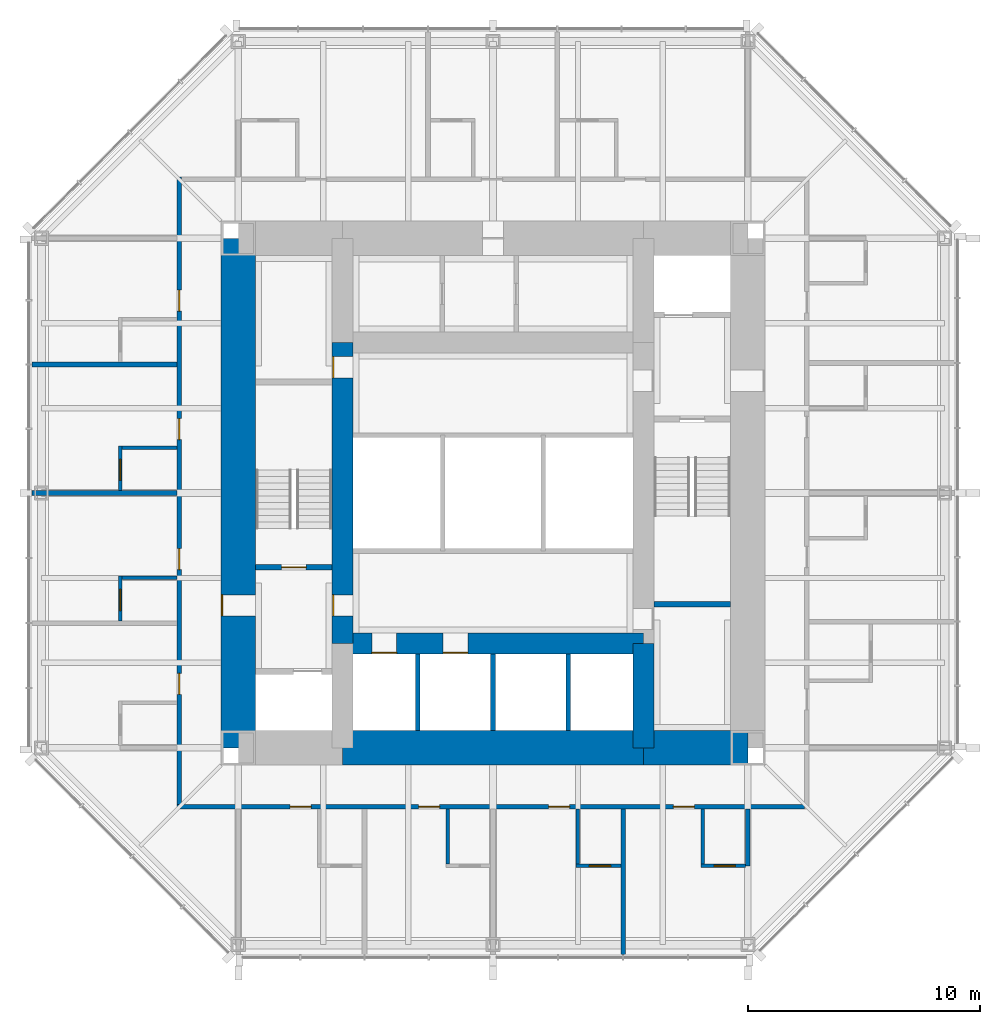
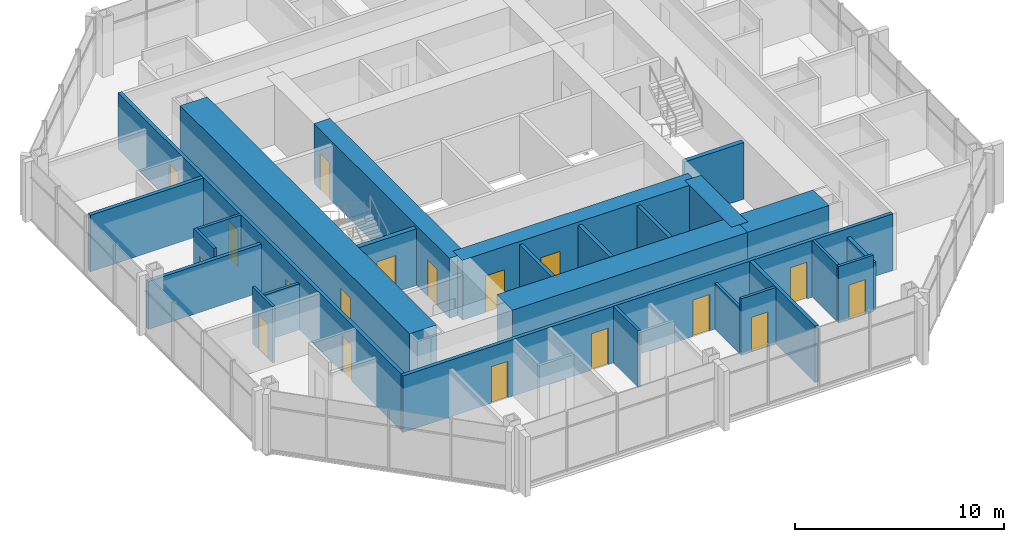
# One storey, part 8 of 12: 26 walls, 18 doors, 18 openings.
"""IFC4 building model written with IfcOpenShell, lengths in metres."""

from ifc_helpers import new_model, si_unit, direction, frame, frame_2d, origin, place, context, subcontext, project, spatial, rectangle, extrude, material, layer, layer_set, type_object, element, fill, save


model = new_model("IFC4")

# Units and contexts
model_context = context("Model", 3, precision=1e-05, world=origin(), true_north=direction((0.0, 1.0)))
body_context = subcontext(model_context, "Body", "Model", "MODEL_VIEW")
ifc_project = project(units=[si_unit("LENGTHUNIT", "METRE"), si_unit("AREAUNIT", "SQUARE_METRE"), si_unit("VOLUMEUNIT", "CUBIC_METRE"), si_unit("PLANEANGLEUNIT", "RADIAN"), si_unit("MASSUNIT", "GRAM", prefix="KILO")], contexts=[model_context])

# Site, building, storey
site_placement = place(None, origin())
site = spatial("IfcSite", under=ifc_project, at=site_placement, CompositionType="ELEMENT")
building_placement = place(site_placement, origin())
building = spatial("IfcBuilding", under=site, at=building_placement, Name="Trevanion Tower", CompositionType="ELEMENT")
storey_placement = place(building_placement, frame((0.0, 0.0, 204.699951171875)))
storey = spatial("IfcBuildingStorey", under=building, at=storey_placement, Name="L48", CompositionType="ELEMENT", Elevation=204.699951171875)

# Wall, opening, door
ifc_material_1 = material(Name="Concrete 10,000 psi", Category="concrete")
ifc_layer_1 = layer(ifc_material_1, 1.5)
ifc_layer_set_1 = layer_set([ifc_layer_1], Name="CW1 core wall 1500")
wall_type_1 = type_object("IfcWallType", Name="CW1 core wall 1500", PredefinedType="SHEAR", material=ifc_layer_set_1)
wall_1_placement = place(storey_placement, frame((-11.0, 11.0, 0.0), z_axis=(0.0, 0.0, 1.0), x_axis=(0.0, -1.0, 0.0)))
wall_1 = element("IfcWall", 1, at=wall_1_placement, inside=storey, type_object=wall_type_1, Name="CW1 CW L48", PredefinedType="SHEAR", context=body_context, shape_type="SweptSolid", body=[
    extrude(rectangle(XDim=22.0, YDim=1.5, at=frame_2d((11.0, 0.0))), origin(), (0.0, 0.0, 1.0), 3.5),
])
opening_1_placement = place(wall_1_placement, frame((15.392578125, 0.0, 0.0)))
opening_1 = element("IfcOpeningElement", 2, at=opening_1_placement, cuts=wall_1, Name="Opening 48-002", PredefinedType="OPENING", context=body_context, shape_type="SweptSolid", body=[
    extrude(rectangle(XDim=0.9150390625, YDim=2.134033203125, at=frame_2d((0.45751953125, 1.06689453125))), frame((0.0, 0.760009765625, 0.0), z_axis=(0.0, -1.0, 0.0), x_axis=(1.0, 0.0, 0.0)), (0.0, 0.0, 1.0), 1.52001953125),
])
ifc_material_2 = material(Name="Hollow metal, fire rated", Category="steel")
door_type_1 = type_object("IfcDoorType", Name="D3 fire lift lobby door", OperationType="SINGLE_SWING_RIGHT", PredefinedType="DOOR", material=ifc_material_2)
door_1_placement = place(opening_1_placement, origin())
door_1 = element("IfcDoor", 3, at=door_1_placement, inside=storey, type_object=door_type_1, Name="Door 48-002", OperationType="SINGLE_SWING_RIGHT", OverallHeight=2.134033203125, OverallWidth=0.9150390625, PredefinedType="DOOR", context=body_context, shape_type="SweptSolid", body=[
    extrude(rectangle(XDim=0.9150390625, YDim=2.134033203125, at=frame_2d((0.45751953125, 1.06689453125))), frame((0.0, -0.6748046875, 0.0), z_axis=(0.0, -1.0, 0.0), x_axis=(1.0, 0.0, 0.0)), (0.0, 0.0, 1.0), 0.050048828125),
])
fill(opening_1, door_1)

# Walls
wall_2_placement = place(storey_placement, frame((-6.5, -11.0, 0.0), z_axis=(0.0, 0.0, 1.0), x_axis=(1.0, 0.0, 0.0)))
element("IfcWall", 4, at=wall_2_placement, inside=storey, type_object=wall_type_1, Name="CW1 CS2 L48", PredefinedType="SHEAR", context=body_context, shape_type="SweptSolid", body=[
    extrude(rectangle(XDim=13.0, YDim=1.5, at=frame_2d((6.5, 0.0))), origin(), (0.0, 0.0, 1.0), 3.5),
])
wall_3_placement = place(storey_placement, frame((6.5, -11.0, 0.0), z_axis=(0.0, 0.0, 1.0), x_axis=(1.0, 0.0, 0.0)))
element("IfcWall", 5, at=wall_3_placement, inside=storey, type_object=wall_type_1, Name="CW1 CS3 L48", PredefinedType="SHEAR", context=body_context, shape_type="SweptSolid", body=[
    extrude(rectangle(XDim=4.5, YDim=1.5, at=frame_2d((2.25, 0.0))), origin(), (0.0, 0.0, 1.0), 3.5),
])
ifc_material_3 = material(Name="Concrete 10,000 psi", Category="concrete")
ifc_layer_2 = layer(ifc_material_3, 0.89990234375)
ifc_layer_set_2 = layer_set([ifc_layer_2], Name="CW2 core wall 900")
wall_type_2 = type_object("IfcWallType", Name="CW2 core wall 900", PredefinedType="SHEAR", material=ifc_layer_set_2)
wall_4_placement = place(storey_placement, frame((6.5, -11.0, 0.0), z_axis=(0.0, 0.0, 1.0), x_axis=(0.0, 1.0, 0.0)))
element("IfcWall", 6, at=wall_4_placement, inside=storey, type_object=wall_type_2, Name="CW2 RE1 L48", PredefinedType="SHEAR", context=body_context, shape_type="SweptSolid", body=[
    extrude(rectangle(XDim=4.5, YDim=0.89990234375, at=frame_2d((2.25, 0.0))), origin(), (0.0, 0.0, 1.0), 3.5),
])

# Wall, openings, doors
wall_5_placement = place(storey_placement, frame((-6.5, 6.5, 0.0), z_axis=(0.0, 0.0, 1.0), x_axis=(0.0, -1.0, 0.0)))
wall_5 = element("IfcWall", 7, at=wall_5_placement, inside=storey, type_object=wall_type_2, Name="CW2 RW2 L48", PredefinedType="SHEAR", context=body_context, shape_type="SweptSolid", body=[
    extrude(rectangle(XDim=13.0, YDim=0.89990234375, at=frame_2d((6.5, 0.0))), origin(), (0.0, 0.0, 1.0), 3.5),
])
opening_2_placement = place(wall_5_placement, frame((10.892578125, 0.0, 0.0)))
opening_2 = element("IfcOpeningElement", 8, at=opening_2_placement, cuts=wall_5, Name="Opening 48-004", PredefinedType="OPENING", context=body_context, shape_type="SweptSolid", body=[
    extrude(rectangle(XDim=0.9150390625, YDim=2.134033203125, at=frame_2d((0.45751953125, 1.06689453125))), frame((0.0, 0.4599609375, 0.0), z_axis=(0.0, -1.0, 0.0), x_axis=(1.0, 0.0, 0.0)), (0.0, 0.0, 1.0), 0.919921875),
])
opening_3_placement = place(wall_5_placement, frame((0.610107421875, 0.0, 0.0)))
opening_3 = element("IfcOpeningElement", 9, at=opening_3_placement, cuts=wall_5, Name="Opening 48-010", PredefinedType="OPENING", context=body_context, shape_type="SweptSolid", body=[
    extrude(rectangle(XDim=0.9150390625, YDim=2.134033203125, at=frame_2d((0.45751953125, 1.06689453125))), frame((0.0, 0.4599609375, 0.0), z_axis=(0.0, -1.0, 0.0), x_axis=(1.0, 0.0, 0.0)), (0.0, 0.0, 1.0), 0.919921875),
])
door_2_placement = place(opening_2_placement, origin())
door_2 = element("IfcDoor", 10, at=door_2_placement, inside=storey, type_object=door_type_1, Name="Door 48-004", OperationType="SINGLE_SWING_RIGHT", OverallHeight=2.134033203125, OverallWidth=0.9150390625, PredefinedType="DOOR", context=body_context, shape_type="SweptSolid", body=[
    extrude(rectangle(XDim=0.9150390625, YDim=2.134033203125, at=frame_2d((0.45751953125, 1.06689453125))), frame((0.0, -0.375, 0.0), z_axis=(0.0, -1.0, 0.0), x_axis=(1.0, 0.0, 0.0)), (0.0, 0.0, 1.0), 0.050048828125),
])
fill(opening_2, door_2)
ifc_material_4 = material(Name="Hollow metal, fire rated", Category="steel")
door_type_2 = type_object("IfcDoorType", Name="D5 service room door", OperationType="SINGLE_SWING_RIGHT", PredefinedType="DOOR", material=ifc_material_4)
door_3_placement = place(opening_3_placement, origin())
door_3 = element("IfcDoor", 11, at=door_3_placement, inside=storey, type_object=door_type_2, Name="Door 48-010", OperationType="SINGLE_SWING_RIGHT", OverallHeight=2.134033203125, OverallWidth=0.9150390625, PredefinedType="DOOR", context=body_context, shape_type="SweptSolid", body=[
    extrude(rectangle(XDim=0.9150390625, YDim=2.134033203125, at=frame_2d((0.45751953125, 1.06689453125))), frame((0.0, -0.375, 0.0), z_axis=(0.0, -1.0, 0.0), x_axis=(1.0, 0.0, 0.0)), (0.0, 0.0, 1.0), 0.050048828125),
])
fill(opening_3, door_3)

wall_6_placement = place(storey_placement, frame((-6.5, -6.5, 0.0), z_axis=(0.0, 0.0, 1.0), x_axis=(1.0, 0.0, 0.0)))
wall_6 = element("IfcWall", 12, at=wall_6_placement, inside=storey, type_object=wall_type_2, Name="CW2 RS L48", PredefinedType="SHEAR", context=body_context, shape_type="SweptSolid", body=[
    extrude(rectangle(XDim=13.0, YDim=0.89990234375, at=frame_2d((6.5, 0.0))), origin(), (0.0, 0.0, 1.0), 3.5),
])
opening_4_placement = place(wall_6_placement, frame((1.2666015625, 0.0, 0.0)))
opening_4 = element("IfcOpeningElement", 13, at=opening_4_placement, cuts=wall_6, Name="Opening 48-011", PredefinedType="OPENING", context=body_context, shape_type="SweptSolid", body=[
    extrude(rectangle(XDim=1.06689453125, YDim=2.134033203125, at=frame_2d((0.533447265625, 1.06689453125))), frame((0.0, 0.4599609375, 0.0), z_axis=(0.0, -1.0, 0.0), x_axis=(1.0, 0.0, 0.0)), (0.0, 0.0, 1.0), 0.919921875),
])
opening_5_placement = place(wall_6_placement, frame((4.341552734375, 0.0, 0.0)))
opening_5 = element("IfcOpeningElement", 14, at=opening_5_placement, cuts=wall_6, Name="Opening 48-012", PredefinedType="OPENING", context=body_context, shape_type="SweptSolid", body=[
    extrude(rectangle(XDim=1.06689453125, YDim=2.134033203125, at=frame_2d((0.533447265625, 1.06689453125))), frame((0.0, 0.4599609375, 0.0), z_axis=(0.0, -1.0, 0.0), x_axis=(1.0, 0.0, 0.0)), (0.0, 0.0, 1.0), 0.919921875),
])
ifc_material_5 = material(Name="Stainless steel, fire rated", Category="steel")
door_type_3 = type_object("IfcDoorType", Name="LD1 lift landing door", OperationType="SLIDING_TO_LEFT", PredefinedType="DOOR", material=ifc_material_5)
door_4_placement = place(opening_4_placement, origin())
door_4 = element("IfcDoor", 15, at=door_4_placement, inside=storey, type_object=door_type_3, Name="Door 48-011", OperationType="SLIDING_TO_LEFT", OverallHeight=2.134033203125, OverallWidth=1.06689453125, PredefinedType="DOOR", context=body_context, shape_type="SweptSolid", body=[
    extrude(rectangle(XDim=1.06689453125, YDim=2.134033203125, at=frame_2d((0.533447265625, 1.06689453125))), frame((0.0, -0.375, 0.0), z_axis=(0.0, -1.0, 0.0), x_axis=(1.0, 0.0, 0.0)), (0.0, 0.0, 1.0), 0.050048828125),
])
fill(opening_4, door_4)
door_5_placement = place(opening_5_placement, origin())
door_5 = element("IfcDoor", 16, at=door_5_placement, inside=storey, type_object=door_type_3, Name="Door 48-012", OperationType="SLIDING_TO_LEFT", OverallHeight=2.134033203125, OverallWidth=1.06689453125, PredefinedType="DOOR", context=body_context, shape_type="SweptSolid", body=[
    extrude(rectangle(XDim=1.06689453125, YDim=2.134033203125, at=frame_2d((0.533447265625, 1.06689453125))), frame((0.0, -0.375, 0.0), z_axis=(0.0, -1.0, 0.0), x_axis=(1.0, 0.0, 0.0)), (0.0, 0.0, 1.0), 0.050048828125),
])
fill(opening_5, door_5)

# Wall, opening, door
ifc_material_6 = material(Name="Gypsum board on steel studs", Category="steel")
ifc_layer_3 = layer(ifc_material_6, 0.14990234375)
ifc_layer_set_3 = layer_set([ifc_layer_3], Name="PT1 partition 150")
wall_type_3 = type_object("IfcWallType", Name="PT1 partition 150", PredefinedType="PARTITIONING", material=ifc_layer_set_3)
wall_7_placement = place(storey_placement, frame((-16.10009765625, 2.02490234375, 0.0), z_axis=(0.0, 0.0, 1.0), x_axis=(0.0, -1.0, 0.0)))
wall_7 = element("IfcWall", 17, at=wall_7_placement, inside=storey, type_object=wall_type_3, Name="PT1 L48 BA21", PredefinedType="PARTITIONING", context=body_context, shape_type="SweptSolid", body=[
    extrude(rectangle(XDim=1.9248046875, YDim=0.14990234375, at=frame_2d((0.96240234375, 0.0))), origin(), (0.0, 0.0, 1.0), 3.31005859375),
])
opening_6_placement = place(wall_7_placement, frame((0.5673828125, 0.0, 0.0)))
opening_6 = element("IfcOpeningElement", 18, at=opening_6_placement, cuts=wall_7, Name="Opening 48-032", PredefinedType="OPENING", context=body_context, shape_type="SweptSolid", body=[
    extrude(rectangle(XDim=0.9150390625, YDim=2.031982421875, at=frame_2d((0.45751953125, 1.01611328125))), frame((0.0, 0.0849609375, 0.0), z_axis=(0.0, -1.0, 0.0), x_axis=(1.0, 0.0, 0.0)), (0.0, 0.0, 1.0), 0.169921875),
])
ifc_material_7 = material(Name="Timber veneer", Category="wood")
door_type_4 = type_object("IfcDoorType", Name="D7 bathroom door", OperationType="SINGLE_SWING_LEFT", PredefinedType="DOOR", material=ifc_material_7)
door_6_placement = place(opening_6_placement, origin())
door_6 = element("IfcDoor", 19, at=door_6_placement, inside=storey, type_object=door_type_4, Name="Door 48-032", OperationType="SINGLE_SWING_LEFT", OverallHeight=2.031982421875, OverallWidth=0.9150390625, PredefinedType="DOOR", context=body_context, shape_type="SweptSolid", body=[
    extrude(rectangle(XDim=0.9150390625, YDim=2.031982421875, at=frame_2d((0.45751953125, 1.01611328125))), frame((0.0, 0.02490234375, 0.0), z_axis=(0.0, -1.0, 0.0), x_axis=(1.0, 0.0, 0.0)), (0.0, 0.0, 1.0), 0.050048828125),
])
fill(opening_6, door_6)

# Wall
wall_8_placement = place(storey_placement, frame((-13.64990234375, 1.949951171875, 0.0), z_axis=(0.0, 0.0, 1.0), x_axis=(-1.0, 0.0, 0.0)))
element("IfcWall", 20, at=wall_8_placement, inside=storey, type_object=wall_type_3, Name="PT1 L48 BB21", PredefinedType="PARTITIONING", context=body_context, shape_type="SweptSolid", body=[
    extrude(rectangle(XDim=2.375, YDim=0.14990234375, at=frame_2d((1.1875, 0.0))), origin(), (0.0, 0.0, 1.0), 3.31005859375),
])

# Wall, opening, door
wall_9_placement = place(storey_placement, frame((-16.10009765625, -3.589111328125, 0.0), z_axis=(0.0, 0.0, 1.0), x_axis=(0.0, -1.0, 0.0)))
wall_9 = element("IfcWall", 21, at=wall_9_placement, inside=storey, type_object=wall_type_3, Name="PT1 L48 BA22", PredefinedType="PARTITIONING", context=body_context, shape_type="SweptSolid", body=[
    extrude(rectangle(XDim=1.9248046875, YDim=0.14990234375, at=frame_2d((0.96240234375, 0.0))), origin(), (0.0, 0.0, 1.0), 3.31005859375),
])
opening_7_placement = place(wall_9_placement, frame((0.5673828125, 0.0, 0.0)))
opening_7 = element("IfcOpeningElement", 22, at=opening_7_placement, cuts=wall_9, Name="Opening 48-034", PredefinedType="OPENING", context=body_context, shape_type="SweptSolid", body=[
    extrude(rectangle(XDim=0.9150390625, YDim=2.031982421875, at=frame_2d((0.45751953125, 1.01611328125))), frame((0.0, 0.0849609375, 0.0), z_axis=(0.0, -1.0, 0.0), x_axis=(1.0, 0.0, 0.0)), (0.0, 0.0, 1.0), 0.169921875),
])
door_7_placement = place(opening_7_placement, origin())
door_7 = element("IfcDoor", 23, at=door_7_placement, inside=storey, type_object=door_type_4, Name="Door 48-034", OperationType="SINGLE_SWING_LEFT", OverallHeight=2.031982421875, OverallWidth=0.9150390625, PredefinedType="DOOR", context=body_context, shape_type="SweptSolid", body=[
    extrude(rectangle(XDim=0.9150390625, YDim=2.031982421875, at=frame_2d((0.45751953125, 1.01611328125))), frame((0.0, 0.02490234375, 0.0), z_axis=(0.0, -1.0, 0.0), x_axis=(1.0, 0.0, 0.0)), (0.0, 0.0, 1.0), 0.050048828125),
])
fill(opening_7, door_7)

# Walls
wall_10_placement = place(storey_placement, frame((-13.64990234375, -3.6640625, 0.0), z_axis=(0.0, 0.0, 1.0), x_axis=(-1.0, 0.0, 0.0)))
element("IfcWall", 24, at=wall_10_placement, inside=storey, type_object=wall_type_3, Name="PT1 L48 BB22", PredefinedType="PARTITIONING", context=body_context, shape_type="SweptSolid", body=[
    extrude(rectangle(XDim=2.375, YDim=0.14990234375, at=frame_2d((1.1875, 0.0))), origin(), (0.0, 0.0, 1.0), 2.703125),
])
wall_11_placement = place(storey_placement, frame((-1.949951171875, -13.64990234375, 0.0), z_axis=(0.0, 0.0, 1.0), x_axis=(0.0, -1.0, 0.0)))
element("IfcWall", 25, at=wall_11_placement, inside=storey, type_object=wall_type_3, Name="PT1 L48 BB31", PredefinedType="PARTITIONING", context=body_context, shape_type="SweptSolid", body=[
    extrude(rectangle(XDim=2.375, YDim=0.14990234375, at=frame_2d((1.1875, 0.0))), origin(), (0.0, 0.0, 1.0), 3.31005859375),
])

# Wall, opening, door
wall_12_placement = place(storey_placement, frame((3.589111328125, -16.10009765625, 0.0), z_axis=(0.0, 0.0, 1.0), x_axis=(1.0, 0.0, 0.0)))
wall_12 = element("IfcWall", 26, at=wall_12_placement, inside=storey, type_object=wall_type_3, Name="PT1 L48 BA32", PredefinedType="PARTITIONING", context=body_context, shape_type="SweptSolid", body=[
    extrude(rectangle(XDim=1.9248046875, YDim=0.14990234375, at=frame_2d((0.96240234375, 0.0))), origin(), (0.0, 0.0, 1.0), 3.31005859375),
])
opening_8_placement = place(wall_12_placement, frame((0.5673828125, 0.0, 0.0)))
opening_8 = element("IfcOpeningElement", 27, at=opening_8_placement, cuts=wall_12, Name="Opening 48-042", PredefinedType="OPENING", context=body_context, shape_type="SweptSolid", body=[
    extrude(rectangle(XDim=0.9150390625, YDim=2.031982421875, at=frame_2d((0.45751953125, 1.01611328125))), frame((0.0, 0.0849609375, 0.0), z_axis=(0.0, -1.0, 0.0), x_axis=(1.0, 0.0, 0.0)), (0.0, 0.0, 1.0), 0.169921875),
])
door_8_placement = place(opening_8_placement, origin())
door_8 = element("IfcDoor", 28, at=door_8_placement, inside=storey, type_object=door_type_4, Name="Door 48-042", OperationType="SINGLE_SWING_LEFT", OverallHeight=2.031982421875, OverallWidth=0.9150390625, PredefinedType="DOOR", context=body_context, shape_type="SweptSolid", body=[
    extrude(rectangle(XDim=0.9150390625, YDim=2.031982421875, at=frame_2d((0.45751953125, 1.01611328125))), frame((0.0, 0.02490234375, 0.0), z_axis=(0.0, -1.0, 0.0), x_axis=(1.0, 0.0, 0.0)), (0.0, 0.0, 1.0), 0.050048828125),
])
fill(opening_8, door_8)

# Wall
wall_13_placement = place(storey_placement, frame((3.6640625, -13.64990234375, 0.0), z_axis=(0.0, 0.0, 1.0), x_axis=(0.0, -1.0, 0.0)))
element("IfcWall", 29, at=wall_13_placement, inside=storey, type_object=wall_type_3, Name="PT1 L48 BB32", PredefinedType="PARTITIONING", context=body_context, shape_type="SweptSolid", body=[
    extrude(rectangle(XDim=2.375, YDim=0.14990234375, at=frame_2d((1.1875, 0.0))), origin(), (0.0, 0.0, 1.0), 2.703125),
])

# Wall, opening, door
wall_14_placement = place(storey_placement, frame((8.97509765625, -16.10009765625, 0.0), z_axis=(0.0, 0.0, 1.0), x_axis=(1.0, 0.0, 0.0)))
wall_14 = element("IfcWall", 30, at=wall_14_placement, inside=storey, type_object=wall_type_3, Name="PT1 L48 BA33", PredefinedType="PARTITIONING", context=body_context, shape_type="SweptSolid", body=[
    extrude(rectangle(XDim=1.9248046875, YDim=0.14990234375, at=frame_2d((0.96240234375, 0.0))), origin(), (0.0, 0.0, 1.0), 3.31005859375),
])
opening_9_placement = place(wall_14_placement, frame((0.5673828125, 0.0, 0.0)))
opening_9 = element("IfcOpeningElement", 31, at=opening_9_placement, cuts=wall_14, Name="Opening 48-044", PredefinedType="OPENING", context=body_context, shape_type="SweptSolid", body=[
    extrude(rectangle(XDim=0.9150390625, YDim=2.031982421875, at=frame_2d((0.45751953125, 1.01611328125))), frame((0.0, 0.0849609375, 0.0), z_axis=(0.0, -1.0, 0.0), x_axis=(1.0, 0.0, 0.0)), (0.0, 0.0, 1.0), 0.169921875),
])
door_9_placement = place(opening_9_placement, origin())
door_9 = element("IfcDoor", 32, at=door_9_placement, inside=storey, type_object=door_type_4, Name="Door 48-044", OperationType="SINGLE_SWING_LEFT", OverallHeight=2.031982421875, OverallWidth=0.9150390625, PredefinedType="DOOR", context=body_context, shape_type="SweptSolid", body=[
    extrude(rectangle(XDim=0.9150390625, YDim=2.031982421875, at=frame_2d((0.45751953125, 1.01611328125))), frame((0.0, 0.02490234375, 0.0), z_axis=(0.0, -1.0, 0.0), x_axis=(1.0, 0.0, 0.0)), (0.0, 0.0, 1.0), 0.050048828125),
])
fill(opening_9, door_9)

# Wall
wall_15_placement = place(storey_placement, frame((9.050048828125, -13.64990234375, 0.0), z_axis=(0.0, 0.0, 1.0), x_axis=(0.0, -1.0, 0.0)))
element("IfcWall", 33, at=wall_15_placement, inside=storey, type_object=wall_type_3, Name="PT1 L48 BB33", PredefinedType="PARTITIONING", context=body_context, shape_type="SweptSolid", body=[
    extrude(rectangle(XDim=2.375, YDim=0.14990234375, at=frame_2d((1.1875, 0.0))), origin(), (0.0, 0.0, 1.0), 3.31005859375),
])

# Wall, openings, doors
ifc_material_8 = material(Name="Concrete masonry, grouted", Category="masonry")
ifc_layer_4 = layer(ifc_material_8, 0.199951171875)
ifc_layer_set_4 = layer_set([ifc_layer_4], Name="PT2 partition 200 1 HR")
wall_type_4 = type_object("IfcWallType", Name="PT2 partition 200 1 HR", PredefinedType="PARTITIONING", material=ifc_layer_set_4)
wall_16_placement = place(storey_placement, frame((-13.550048828125, 13.64990234375, 0.0), z_axis=(0.0, 0.0, 1.0), x_axis=(0.0, -1.0, 0.0)))
wall_16 = element("IfcWall", 34, at=wall_16_placement, inside=storey, type_object=wall_type_4, Name="PT2 L48 HC2", PredefinedType="PARTITIONING", context=body_context, shape_type="SweptSolid", body=[
    extrude(rectangle(XDim=27.099853515625, YDim=0.199951171875, at=frame_2d((13.5498046875, 0.0))), origin(), (0.0, 0.0, 1.0), 3.31005859375),
])
opening_10_placement = place(wall_16_placement, frame((4.883544921875, 0.0, 0.0)))
opening_10 = element("IfcOpeningElement", 35, at=opening_10_placement, cuts=wall_16, Name="Opening 48-031", PredefinedType="OPENING", context=body_context, shape_type="SweptSolid", body=[
    extrude(rectangle(XDim=0.9150390625, YDim=2.134033203125, at=frame_2d((0.45751953125, 1.06689453125))), frame((0.0, 0.10986328125, 0.0), z_axis=(0.0, -1.0, 0.0), x_axis=(1.0, 0.0, 0.0)), (0.0, 0.0, 1.0), 0.219970703125),
])
opening_11_placement = place(wall_16_placement, frame((10.4326171875, 0.0, 0.0)))
opening_11 = element("IfcOpeningElement", 36, at=opening_11_placement, cuts=wall_16, Name="Opening 48-033", PredefinedType="OPENING", context=body_context, shape_type="SweptSolid", body=[
    extrude(rectangle(XDim=0.9150390625, YDim=2.134033203125, at=frame_2d((0.45751953125, 1.06689453125))), frame((0.0, 0.10986328125, 0.0), z_axis=(0.0, -1.0, 0.0), x_axis=(1.0, 0.0, 0.0)), (0.0, 0.0, 1.0), 0.219970703125),
])
opening_12_placement = place(wall_16_placement, frame((16.04638671875, 0.0, 0.0)))
opening_12 = element("IfcOpeningElement", 37, at=opening_12_placement, cuts=wall_16, Name="Opening 48-035", PredefinedType="OPENING", context=body_context, shape_type="SweptSolid", body=[
    extrude(rectangle(XDim=0.9150390625, YDim=2.134033203125, at=frame_2d((0.45751953125, 1.06689453125))), frame((0.0, 0.10986328125, 0.0), z_axis=(0.0, -1.0, 0.0), x_axis=(1.0, 0.0, 0.0)), (0.0, 0.0, 1.0), 0.219970703125),
])
opening_13_placement = place(wall_16_placement, frame((21.4326171875, 0.0, 0.0)))
opening_13 = element("IfcOpeningElement", 38, at=opening_13_placement, cuts=wall_16, Name="Opening 48-037", PredefinedType="OPENING", context=body_context, shape_type="SweptSolid", body=[
    extrude(rectangle(XDim=0.9150390625, YDim=2.134033203125, at=frame_2d((0.45751953125, 1.06689453125))), frame((0.0, 0.10986328125, 0.0), z_axis=(0.0, -1.0, 0.0), x_axis=(1.0, 0.0, 0.0)), (0.0, 0.0, 1.0), 0.219970703125),
])
ifc_material_9 = material(Name="Timber veneer, fire rated", Category="wood")
door_type_5 = type_object("IfcDoorType", Name="D6 guest room entrance door", OperationType="SINGLE_SWING_LEFT", PredefinedType="DOOR", material=ifc_material_9)
door_10_placement = place(opening_10_placement, origin())
door_10 = element("IfcDoor", 39, at=door_10_placement, inside=storey, type_object=door_type_5, Name="Door 48-031", OperationType="SINGLE_SWING_LEFT", OverallHeight=2.134033203125, OverallWidth=0.9150390625, PredefinedType="DOOR", context=body_context, shape_type="SweptSolid", body=[
    extrude(rectangle(XDim=0.9150390625, YDim=2.134033203125, at=frame_2d((0.45751953125, 1.06689453125))), frame((0.0, 0.02490234375, 0.0), z_axis=(0.0, -1.0, 0.0), x_axis=(1.0, 0.0, 0.0)), (0.0, 0.0, 1.0), 0.050048828125),
])
fill(opening_10, door_10)
door_11_placement = place(opening_11_placement, origin())
door_11 = element("IfcDoor", 40, at=door_11_placement, inside=storey, type_object=door_type_5, Name="Door 48-033", OperationType="SINGLE_SWING_LEFT", OverallHeight=2.134033203125, OverallWidth=0.9150390625, PredefinedType="DOOR", context=body_context, shape_type="SweptSolid", body=[
    extrude(rectangle(XDim=0.9150390625, YDim=2.134033203125, at=frame_2d((0.45751953125, 1.06689453125))), frame((0.0, 0.02490234375, 0.0), z_axis=(0.0, -1.0, 0.0), x_axis=(1.0, 0.0, 0.0)), (0.0, 0.0, 1.0), 0.050048828125),
])
fill(opening_11, door_11)
door_12_placement = place(opening_12_placement, origin())
door_12 = element("IfcDoor", 41, at=door_12_placement, inside=storey, type_object=door_type_5, Name="Door 48-035", OperationType="SINGLE_SWING_LEFT", OverallHeight=2.134033203125, OverallWidth=0.9150390625, PredefinedType="DOOR", context=body_context, shape_type="SweptSolid", body=[
    extrude(rectangle(XDim=0.9150390625, YDim=2.134033203125, at=frame_2d((0.45751953125, 1.06689453125))), frame((0.0, 0.02490234375, 0.0), z_axis=(0.0, -1.0, 0.0), x_axis=(1.0, 0.0, 0.0)), (0.0, 0.0, 1.0), 0.050048828125),
])
fill(opening_12, door_12)
door_13_placement = place(opening_13_placement, origin())
door_13 = element("IfcDoor", 42, at=door_13_placement, inside=storey, type_object=door_type_5, Name="Door 48-037", OperationType="SINGLE_SWING_LEFT", OverallHeight=2.134033203125, OverallWidth=0.9150390625, PredefinedType="DOOR", context=body_context, shape_type="SweptSolid", body=[
    extrude(rectangle(XDim=0.9150390625, YDim=2.134033203125, at=frame_2d((0.45751953125, 1.06689453125))), frame((0.0, 0.02490234375, 0.0), z_axis=(0.0, -1.0, 0.0), x_axis=(1.0, 0.0, 0.0)), (0.0, 0.0, 1.0), 0.050048828125),
])
fill(opening_13, door_13)

wall_17_placement = place(storey_placement, frame((-13.64990234375, -13.550048828125, 0.0), z_axis=(0.0, 0.0, 1.0), x_axis=(1.0, 0.0, 0.0)))
wall_17 = element("IfcWall", 43, at=wall_17_placement, inside=storey, type_object=wall_type_4, Name="PT2 L48 HC3", PredefinedType="PARTITIONING", context=body_context, shape_type="SweptSolid", body=[
    extrude(rectangle(XDim=27.099853515625, YDim=0.199951171875, at=frame_2d((13.5498046875, 0.0))), origin(), (0.0, 0.0, 1.0), 3.31005859375),
])
opening_14_placement = place(wall_17_placement, frame((4.883544921875, 0.0, 0.0)))
opening_14 = element("IfcOpeningElement", 44, at=opening_14_placement, cuts=wall_17, Name="Opening 48-039", PredefinedType="OPENING", context=body_context, shape_type="SweptSolid", body=[
    extrude(rectangle(XDim=0.9150390625, YDim=2.134033203125, at=frame_2d((0.45751953125, 1.06689453125))), frame((0.0, 0.10986328125, 0.0), z_axis=(0.0, -1.0, 0.0), x_axis=(1.0, 0.0, 0.0)), (0.0, 0.0, 1.0), 0.219970703125),
])
opening_15_placement = place(wall_17_placement, frame((10.4326171875, 0.0, 0.0)))
opening_15 = element("IfcOpeningElement", 45, at=opening_15_placement, cuts=wall_17, Name="Opening 48-041", PredefinedType="OPENING", context=body_context, shape_type="SweptSolid", body=[
    extrude(rectangle(XDim=0.9150390625, YDim=2.134033203125, at=frame_2d((0.45751953125, 1.06689453125))), frame((0.0, 0.10986328125, 0.0), z_axis=(0.0, -1.0, 0.0), x_axis=(1.0, 0.0, 0.0)), (0.0, 0.0, 1.0), 0.219970703125),
])
opening_16_placement = place(wall_17_placement, frame((16.04638671875, 0.0, 0.0)))
opening_16 = element("IfcOpeningElement", 46, at=opening_16_placement, cuts=wall_17, Name="Opening 48-043", PredefinedType="OPENING", context=body_context, shape_type="SweptSolid", body=[
    extrude(rectangle(XDim=0.9150390625, YDim=2.134033203125, at=frame_2d((0.45751953125, 1.06689453125))), frame((0.0, 0.10986328125, 0.0), z_axis=(0.0, -1.0, 0.0), x_axis=(1.0, 0.0, 0.0)), (0.0, 0.0, 1.0), 0.219970703125),
])
opening_17_placement = place(wall_17_placement, frame((21.4326171875, 0.0, 0.0)))
opening_17 = element("IfcOpeningElement", 47, at=opening_17_placement, cuts=wall_17, Name="Opening 48-045", PredefinedType="OPENING", context=body_context, shape_type="SweptSolid", body=[
    extrude(rectangle(XDim=0.9150390625, YDim=2.134033203125, at=frame_2d((0.45751953125, 1.06689453125))), frame((0.0, 0.10986328125, 0.0), z_axis=(0.0, -1.0, 0.0), x_axis=(1.0, 0.0, 0.0)), (0.0, 0.0, 1.0), 0.219970703125),
])
door_14_placement = place(opening_14_placement, origin())
door_14 = element("IfcDoor", 48, at=door_14_placement, inside=storey, type_object=door_type_5, Name="Door 48-039", OperationType="SINGLE_SWING_LEFT", OverallHeight=2.134033203125, OverallWidth=0.9150390625, PredefinedType="DOOR", context=body_context, shape_type="SweptSolid", body=[
    extrude(rectangle(XDim=0.9150390625, YDim=2.134033203125, at=frame_2d((0.45751953125, 1.06689453125))), frame((0.0, 0.02490234375, 0.0), z_axis=(0.0, -1.0, 0.0), x_axis=(1.0, 0.0, 0.0)), (0.0, 0.0, 1.0), 0.050048828125),
])
fill(opening_14, door_14)
door_15_placement = place(opening_15_placement, origin())
door_15 = element("IfcDoor", 49, at=door_15_placement, inside=storey, type_object=door_type_5, Name="Door 48-041", OperationType="SINGLE_SWING_LEFT", OverallHeight=2.134033203125, OverallWidth=0.9150390625, PredefinedType="DOOR", context=body_context, shape_type="SweptSolid", body=[
    extrude(rectangle(XDim=0.9150390625, YDim=2.134033203125, at=frame_2d((0.45751953125, 1.06689453125))), frame((0.0, 0.02490234375, 0.0), z_axis=(0.0, -1.0, 0.0), x_axis=(1.0, 0.0, 0.0)), (0.0, 0.0, 1.0), 0.050048828125),
])
fill(opening_15, door_15)
door_16_placement = place(opening_16_placement, origin())
door_16 = element("IfcDoor", 50, at=door_16_placement, inside=storey, type_object=door_type_5, Name="Door 48-043", OperationType="SINGLE_SWING_LEFT", OverallHeight=2.134033203125, OverallWidth=0.9150390625, PredefinedType="DOOR", context=body_context, shape_type="SweptSolid", body=[
    extrude(rectangle(XDim=0.9150390625, YDim=2.134033203125, at=frame_2d((0.45751953125, 1.06689453125))), frame((0.0, 0.02490234375, 0.0), z_axis=(0.0, -1.0, 0.0), x_axis=(1.0, 0.0, 0.0)), (0.0, 0.0, 1.0), 0.050048828125),
])
fill(opening_16, door_16)
door_17_placement = place(opening_17_placement, origin())
door_17 = element("IfcDoor", 51, at=door_17_placement, inside=storey, type_object=door_type_5, Name="Door 48-045", OperationType="SINGLE_SWING_LEFT", OverallHeight=2.134033203125, OverallWidth=0.9150390625, PredefinedType="DOOR", context=body_context, shape_type="SweptSolid", body=[
    extrude(rectangle(XDim=0.9150390625, YDim=2.134033203125, at=frame_2d((0.45751953125, 1.06689453125))), frame((0.0, 0.02490234375, 0.0), z_axis=(0.0, -1.0, 0.0), x_axis=(1.0, 0.0, 0.0)), (0.0, 0.0, 1.0), 0.050048828125),
])
fill(opening_17, door_17)

# Walls
wall_18_placement = place(storey_placement, frame((-13.64990234375, 5.549072265625, 0.0), z_axis=(0.0, 0.0, 1.0), x_axis=(-1.0, 0.0, 0.0)))
element("IfcWall", 52, at=wall_18_placement, inside=storey, type_object=wall_type_4, Name="PT2 L48 HD21", PredefinedType="PARTITIONING", context=body_context, shape_type="SweptSolid", body=[
    extrude(rectangle(XDim=6.26513671875, YDim=0.199951171875, at=frame_2d((3.132568359375, 0.0))), origin(), (0.0, 0.0, 1.0), 3.31005859375),
])
wall_19_placement = place(storey_placement, frame((-13.64990234375, 0.0, 0.0), z_axis=(0.0, 0.0, 1.0), x_axis=(-1.0, 0.0, 0.0)))
element("IfcWall", 53, at=wall_19_placement, inside=storey, type_object=wall_type_4, Name="PT2 L48 HD22", PredefinedType="PARTITIONING", context=body_context, shape_type="SweptSolid", body=[
    extrude(rectangle(XDim=6.26513671875, YDim=0.199951171875, at=frame_2d((3.132568359375, 0.0))), origin(), (0.0, 0.0, 1.0), 2.802001953125),
])
wall_20_placement = place(storey_placement, frame((5.614013671875, -13.64990234375, 0.0), z_axis=(0.0, 0.0, 1.0), x_axis=(0.0, -1.0, 0.0)))
element("IfcWall", 54, at=wall_20_placement, inside=storey, type_object=wall_type_4, Name="PT2 L48 HD33", PredefinedType="PARTITIONING", context=body_context, shape_type="SweptSolid", body=[
    extrude(rectangle(XDim=6.26513671875, YDim=0.199951171875, at=frame_2d((3.132568359375, 0.0))), origin(), (0.0, 0.0, 1.0), 3.31005859375),
])
wall_21_placement = place(storey_placement, frame((11.0, -13.64990234375, 0.0), z_axis=(0.0, 0.0, 1.0), x_axis=(0.0, -1.0, 0.0)))
element("IfcWall", 55, at=wall_21_placement, inside=storey, type_object=wall_type_4, Name="PT2 L48 BC33", PredefinedType="PARTITIONING", context=body_context, shape_type="SweptSolid", body=[
    extrude(rectangle(XDim=2.4501953125, YDim=0.199951171875, at=frame_2d((1.22509765625, 0.0))), origin(), (0.0, 0.0, 1.0), 2.802001953125),
])
ifc_material_10 = material(Name="Concrete masonry, grouted", Category="masonry")
ifc_layer_5 = layer(ifc_material_10, 0.199951171875)
ifc_layer_set_5 = layer_set([ifc_layer_5], Name="PT2 partition 200 2 HR")
wall_type_5 = type_object("IfcWallType", Name="PT2 partition 200 2 HR", PredefinedType="PARTITIONING", material=ifc_layer_set_5)
for number, where, z_axis, x_axis, name in (
    (56, (-3.25, -10.25, 0.0), (0.0, 0.0, 1.0), (0.0, 1.0, 0.0), "PT2 L48 SS0"),
    (57, (0.0, -10.25, 0.0), (0.0, 0.0, 1.0), (0.0, 1.0, 0.0), "PT2 L48 SS1"),
    (58, (3.25, -10.25, 0.0), (0.0, 0.0, 1.0), (0.0, 1.0, 0.0), "PT2 L48 SS2"),
):
    element("IfcWall", number, at=place(storey_placement, frame(where, z_axis=z_axis, x_axis=x_axis)), inside=storey, type_object=wall_type_5, Name=name, PredefinedType="PARTITIONING", context=body_context, shape_type="SweptSolid", body=[
        extrude(rectangle(XDim=3.300048828125, YDim=0.199951171875, at=frame_2d((1.64990234375, 0.0))), origin(), (0.0, 0.0, 1.0), 3.31005859375),
    ])
ifc_material_11 = material(Name="Reinforced masonry, fully grouted", Category="masonry")
ifc_layer_6 = layer(ifc_material_11, 0.25)
ifc_layer_set_6 = layer_set([ifc_layer_6], Name="SW1 stair shaft wall 250")
wall_type_6 = type_object("IfcWallType", Name="SW1 stair shaft wall 250", PredefinedType="SOLIDWALL", material=ifc_layer_set_6)
wall_22_placement = place(storey_placement, frame((6.949951171875, -4.800048828125, 0.0), z_axis=(0.0, 0.0, 1.0), x_axis=(1.0, 0.0, 0.0)))
element("IfcWall", 59, at=wall_22_placement, inside=storey, type_object=wall_type_6, Name="SW1 L48 EP1", PredefinedType="SOLIDWALL", context=body_context, shape_type="SweptSolid", body=[
    extrude(rectangle(XDim=3.300048828125, YDim=0.25, at=frame_2d((1.64990234375, 0.0))), origin(), (0.0, 0.0, 1.0), 3.31005859375),
])

# Wall, opening, door
wall_23_placement = place(storey_placement, frame((-6.949951171875, -3.199951171875, 0.0), z_axis=(0.0, 0.0, 1.0), x_axis=(-1.0, 0.0, 0.0)))
wall_23 = element("IfcWall", 60, at=wall_23_placement, inside=storey, type_object=wall_type_6, Name="SW1 L48 WP2", PredefinedType="SOLIDWALL", context=body_context, shape_type="SweptSolid", body=[
    extrude(rectangle(XDim=3.300048828125, YDim=0.25, at=frame_2d((1.64990234375, 0.0))), origin(), (0.0, 0.0, 1.0), 3.31005859375),
])
opening_18_placement = place(wall_23_placement, frame((1.116455078125, 0.0, 0.0)))
opening_18 = element("IfcOpeningElement", 61, at=opening_18_placement, cuts=wall_23, Name="Opening 48-006", PredefinedType="OPENING", context=body_context, shape_type="SweptSolid", body=[
    extrude(rectangle(XDim=1.06689453125, YDim=2.134033203125, at=frame_2d((0.533447265625, 1.06689453125))), frame((0.0, 0.135009765625, 0.0), z_axis=(0.0, -1.0, 0.0), x_axis=(1.0, 0.0, 0.0)), (0.0, 0.0, 1.0), 0.27001953125),
])
ifc_material_12 = material(Name="Hollow metal, fire rated", Category="steel")
door_type_6 = type_object("IfcDoorType", Name="D2 exit stair door", OperationType="SINGLE_SWING_LEFT", PredefinedType="DOOR", material=ifc_material_12)
door_18_placement = place(opening_18_placement, origin())
door_18 = element("IfcDoor", 62, at=door_18_placement, inside=storey, type_object=door_type_6, Name="Door 48-006", OperationType="SINGLE_SWING_LEFT", OverallHeight=2.134033203125, OverallWidth=1.06689453125, PredefinedType="DOOR", context=body_context, shape_type="SweptSolid", body=[
    extrude(rectangle(XDim=1.06689453125, YDim=2.134033203125, at=frame_2d((0.533447265625, 1.06689453125))), frame((0.0, 0.02490234375, 0.0), z_axis=(0.0, -1.0, 0.0), x_axis=(1.0, 0.0, 0.0)), (0.0, 0.0, 1.0), 0.050048828125),
])
fill(opening_18, door_18)

save(model, "model.ifc")
